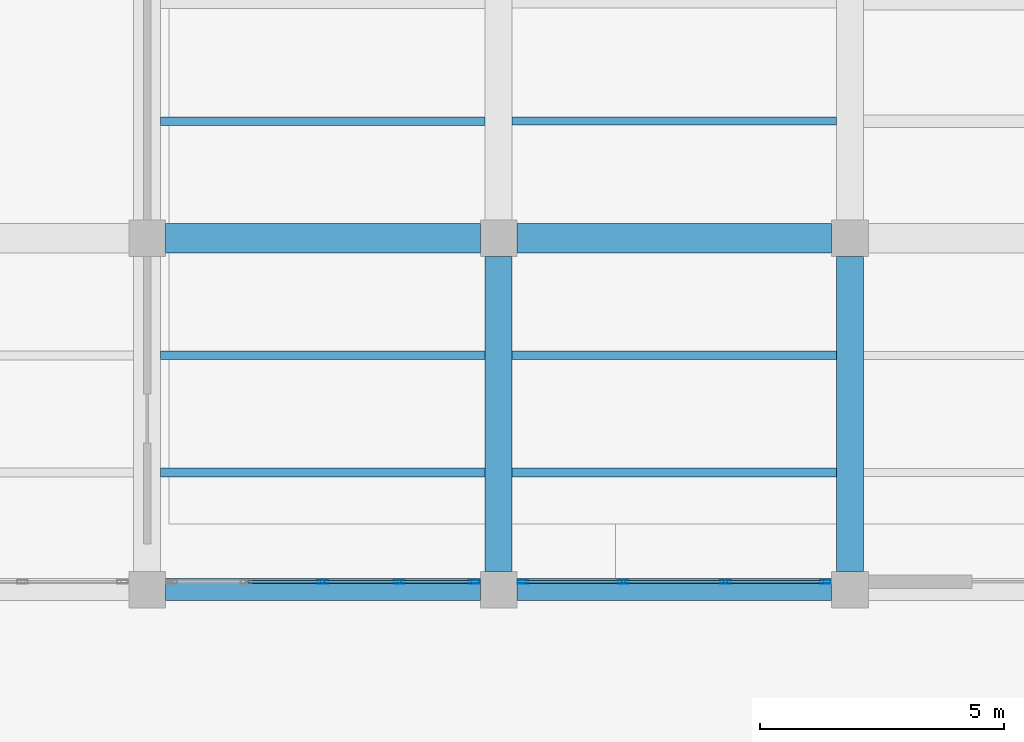
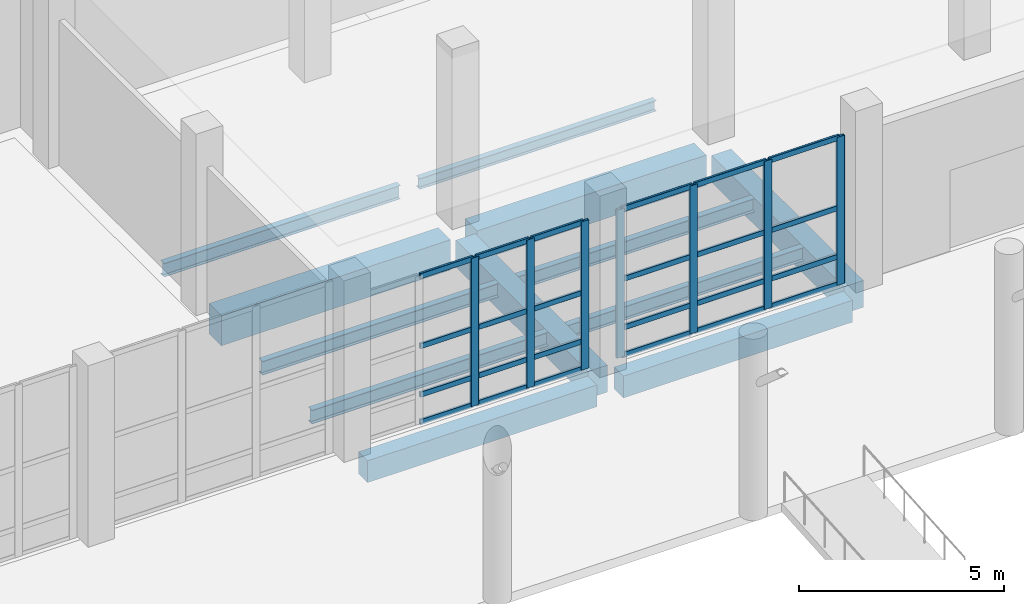
# One storey, part 27 of 137: 31 members, 12 beams, 2 elements without a shape of their own.
"""IFC4 building model written with IfcOpenShell, lengths in metres."""

from ifc_helpers import new_model, si_unit, direction, frame, origin, origin_2d, place, context, subcontext, project, spatial, rectangle, hollow_rectangle, i_section, extrude, material, material_profile, profile_set, type_object, element, aggregate, save


model = new_model("IFC4")

# Units and contexts
model_context = context("Model", 3, precision=1e-05, world=origin(), true_north=direction((0.0, 1.0)))
body_context = subcontext(model_context, "Body", "Model", "MODEL_VIEW")
ifc_project = project(units=[si_unit("LENGTHUNIT", "METRE"), si_unit("AREAUNIT", "SQUARE_METRE"), si_unit("VOLUMEUNIT", "CUBIC_METRE"), si_unit("PLANEANGLEUNIT", "RADIAN"), si_unit("MASSUNIT", "GRAM", prefix="KILO")], contexts=[model_context])

# Site, building, storey
site_placement = place(None, origin())
site = spatial("IfcSite", under=ifc_project, at=site_placement, CompositionType="ELEMENT")
building_placement = place(site_placement, origin())
building = spatial("IfcBuilding", under=site, at=building_placement, Name="Kalmorath City Hall", CompositionType="ELEMENT")
storey_placement = place(building_placement, origin())
storey = spatial("IfcBuildingStorey", under=building, at=storey_placement, Name="L00", CompositionType="ELEMENT", Elevation=0.0)

# Beams
ifc_material_1 = material(Name="Concrete C40/50", Category="concrete")
ifc_material_profile_1 = material_profile(ifc_material_1, rectangle(XDim=0.550048828125, YDim=0.800048828125, at=origin_2d()), Name="RC-BM-550X800")
ifc_profile_set_1 = profile_set([ifc_material_profile_1], Name="Concrete C40/50")
beam_type_1 = type_object("IfcBeamType", Name="Concrete floor girder 550x800", PredefinedType="BEAM", material=ifc_profile_set_1)
for number, where, z_axis, x_axis, name in (
    (1, (86.39990234375, 21.97509765625, -0.7041015625), (0.0, 1.0, 0.0), (-1.0, 0.0, 0.0), "L00 girder CB2 Y13/4-5"),
    (2, (93.60009765625, 21.97509765625, -0.7041015625), (0.0, 1.0, 0.0), (-1.0, 0.0, 0.0), "L00 girder CB2 Y14/4-5"),
):
    element("IfcBeam", number, at=place(storey_placement, frame(where, z_axis=z_axis, x_axis=x_axis)), inside=storey, type_object=beam_type_1, Name=name, PredefinedType="BEAM", context=body_context, shape_type="SweptSolid", body=[
        extrude(rectangle(XDim=0.550048828125, YDim=0.800048828125, at=origin_2d()), origin(), (0.0, 0.0, 1.0), 6.449951171875),
    ])
ifc_material_2 = material(Name="Concrete C40/50", Category="concrete")
ifc_material_profile_2 = material_profile(ifc_material_2, rectangle(XDim=0.60009765625, YDim=0.89990234375, at=origin_2d()), Name="RC-BM-600X900")
ifc_profile_set_2 = profile_set([ifc_material_profile_2], Name="Concrete C40/50")
beam_type_2 = type_object("IfcBeamType", Name="Concrete floor girder 600x900", PredefinedType="BEAM", material=ifc_profile_set_2)
beam_1_placement = place(storey_placement, frame((79.574951171875, 28.800048828125, -0.75390625), z_axis=(1.0, 0.0, 0.0), x_axis=(0.0, 1.0, 0.0)))
element("IfcBeam", 3, at=beam_1_placement, inside=storey, type_object=beam_type_2, Name="L00 girder CB1 X12-13/5", PredefinedType="BEAM", context=body_context, shape_type="SweptSolid", body=[
    extrude(rectangle(XDim=0.60009765625, YDim=0.89990234375, at=origin_2d()), origin(), (0.0, 0.0, 1.0), 6.449951171875),
])
beam_2_placement = place(storey_placement, frame((86.77490234375, 28.800048828125, -0.75390625), z_axis=(1.0, 0.0, 0.0), x_axis=(0.0, 1.0, 0.0)))
element("IfcBeam", 4, at=beam_2_placement, inside=storey, type_object=beam_type_2, Name="L00 girder CB1 X13-14/5", PredefinedType="BEAM", context=body_context, shape_type="SweptSolid", body=[
    extrude(rectangle(XDim=0.60009765625, YDim=0.89990234375, at=origin_2d()), origin(), (0.0, 0.0, 1.0), 6.4501953125),
])
ifc_material_3 = material(Name="Concrete C40/50", Category="concrete")
ifc_material_profile_3 = material_profile(ifc_material_3, rectangle(XDim=0.449951171875, YDim=0.64990234375, at=origin_2d()), Name="RC-BM-450X650")
ifc_profile_set_3 = profile_set([ifc_material_profile_3], Name="Concrete C40/50")
beam_type_3 = type_object("IfcBeamType", Name="Concrete spandrel beam 450x650", PredefinedType="SPANDREL", material=ifc_profile_set_3)
beam_3_placement = place(storey_placement, frame((79.574951171875, 21.60009765625, -0.62890625), z_axis=(1.0, 0.0, 0.0), x_axis=(0.0, 1.0, 0.0)))
element("IfcBeam", 5, at=beam_3_placement, inside=storey, type_object=beam_type_3, Name="L00 girder CB5 X12-13/4", PredefinedType="SPANDREL", context=body_context, shape_type="SweptSolid", body=[
    extrude(rectangle(XDim=0.449951171875, YDim=0.64990234375, at=origin_2d()), origin(), (0.0, 0.0, 1.0), 6.449951171875),
])
beam_4_placement = place(storey_placement, frame((86.77490234375, 21.60009765625, -0.62890625), z_axis=(1.0, 0.0, 0.0), x_axis=(0.0, 1.0, 0.0)))
element("IfcBeam", 6, at=beam_4_placement, inside=storey, type_object=beam_type_3, Name="L00 girder CB5 X13-14/4", PredefinedType="SPANDREL", context=body_context, shape_type="SweptSolid", body=[
    extrude(rectangle(XDim=0.449951171875, YDim=0.64990234375, at=origin_2d()), origin(), (0.0, 0.0, 1.0), 6.4501953125),
])

# Curtain wall, members
ifc_material_4 = material(Name="Anodised aluminium and laminated glass", Category="aluminium")
curtain_wall_type_1 = type_object("IfcCurtainWallType", Name="Unitised hurricane curtain wall 6270x4411 M1800", PredefinedType="NOTDEFINED", material=ifc_material_4)
curtain_wall_1_placement = place(storey_placement, origin())
curtain_wall_1 = element("IfcCurtainWall", 7, at=curtain_wall_1_placement, inside=storey, type_object=curtain_wall_type_1, Name="L00 curtain wall CW-63X44M18 #20", PredefinedType="NOTDEFINED")
ifc_material_5 = material(Name="Anodised aluminium framing", Category="aluminium")
ifc_material_profile_4 = material_profile(ifc_material_5, hollow_rectangle(XDim=0.074951171875, YDim=0.219970703125, WallThickness=0.00390625, InnerFilletRadius=0.00390625, OuterFilletRadius=0.008056640625, at=origin_2d()), Name="ALU-MUL-220X75X4")
ifc_profile_set_4 = profile_set([ifc_material_profile_4], Name="Anodised aluminium framing")
member_type_1 = type_object("IfcMemberType", Name="Curtain-wall primary mullion 220x75", PredefinedType="MULLION", material=ifc_profile_set_4)
member_1_placement = place(storey_placement, frame((93.097412109375, 21.760009765625, 0.0), z_axis=(0.0, 0.0, 1.0), x_axis=(0.0, -1.0, 0.0)))
member_1 = element("IfcMember", 8, at=member_1_placement, type_object=member_type_1, Name="CW-63X44M18 mullion 1", PredefinedType="MULLION", context=body_context, shape_type="SweptSolid", body=[
    extrude(hollow_rectangle(XDim=0.074951171875, YDim=0.219970703125, WallThickness=0.00390625, InnerFilletRadius=0.00390625, OuterFilletRadius=0.008056640625, at=origin_2d()), origin(), (0.0, 0.0, 1.0), 4.410888671875),
])
member_2_placement = place(storey_placement, frame((91.044921875, 21.760009765625, 0.0), z_axis=(0.0, 0.0, 1.0), x_axis=(0.0, -1.0, 0.0)))
member_2 = element("IfcMember", 9, at=member_2_placement, type_object=member_type_1, Name="CW-63X44M18 mullion 2", PredefinedType="MULLION", context=body_context, shape_type="SweptSolid", body=[
    extrude(hollow_rectangle(XDim=0.074951171875, YDim=0.219970703125, WallThickness=0.00390625, InnerFilletRadius=0.00390625, OuterFilletRadius=0.008056640625, at=origin_2d()), origin(), (0.0, 0.0, 1.0), 4.410888671875),
])
member_3_placement = place(storey_placement, frame((88.955078125, 21.760009765625, 0.0), z_axis=(0.0, 0.0, 1.0), x_axis=(0.0, -1.0, 0.0)))
member_3 = element("IfcMember", 10, at=member_3_placement, type_object=member_type_1, Name="CW-63X44M18 mullion 3", PredefinedType="MULLION", context=body_context, shape_type="SweptSolid", body=[
    extrude(hollow_rectangle(XDim=0.074951171875, YDim=0.219970703125, WallThickness=0.00390625, InnerFilletRadius=0.00390625, OuterFilletRadius=0.008056640625, at=origin_2d()), origin(), (0.0, 0.0, 1.0), 4.410888671875),
])
member_4_placement = place(storey_placement, frame((86.902587890625, 21.760009765625, 0.0), z_axis=(0.0, 0.0, 1.0), x_axis=(0.0, -1.0, 0.0)))
member_4 = element("IfcMember", 11, at=member_4_placement, type_object=member_type_1, Name="CW-63X44M18 mullion 4", PredefinedType="MULLION", context=body_context, shape_type="SweptSolid", body=[
    extrude(hollow_rectangle(XDim=0.074951171875, YDim=0.219970703125, WallThickness=0.00390625, InnerFilletRadius=0.00390625, OuterFilletRadius=0.008056640625, at=origin_2d()), origin(), (0.0, 0.0, 1.0), 4.410888671875),
])

ifc_material_6 = material(Name="Anodised aluminium and laminated glass", Category="aluminium")
curtain_wall_type_2 = type_object("IfcCurtainWallType", Name="Unitised hurricane curtain wall 6270x4411 M1500", PredefinedType="NOTDEFINED", material=ifc_material_6)
curtain_wall_2_placement = place(storey_placement, origin())
curtain_wall_2 = element("IfcCurtainWall", 12, at=curtain_wall_2_placement, inside=storey, type_object=curtain_wall_type_2, Name="L00 curtain wall CW-63X44M15 #21", PredefinedType="NOTDEFINED")
member_5_placement = place(storey_placement, frame((85.8974609375, 21.760009765625, 0.0), z_axis=(0.0, 0.0, 1.0), x_axis=(0.0, -1.0, 0.0)))
member_5 = element("IfcMember", 13, at=member_5_placement, type_object=member_type_1, Name="CW-63X44M15 mullion 1", PredefinedType="MULLION", context=body_context, shape_type="SweptSolid", body=[
    extrude(hollow_rectangle(XDim=0.074951171875, YDim=0.219970703125, WallThickness=0.00390625, InnerFilletRadius=0.00390625, OuterFilletRadius=0.008056640625, at=origin_2d()), origin(), (0.0, 0.0, 1.0), 4.410888671875),
])
member_6_placement = place(storey_placement, frame((84.367431640625, 21.760009765625, 0.0), z_axis=(0.0, 0.0, 1.0), x_axis=(0.0, -1.0, 0.0)))
member_6 = element("IfcMember", 14, at=member_6_placement, type_object=member_type_1, Name="CW-63X44M15 mullion 2", PredefinedType="MULLION", context=body_context, shape_type="SweptSolid", body=[
    extrude(hollow_rectangle(XDim=0.074951171875, YDim=0.219970703125, WallThickness=0.00390625, InnerFilletRadius=0.00390625, OuterFilletRadius=0.008056640625, at=origin_2d()), origin(), (0.0, 0.0, 1.0), 4.410888671875),
])
member_7_placement = place(storey_placement, frame((82.800048828125, 21.760009765625, 0.0), z_axis=(0.0, 0.0, 1.0), x_axis=(0.0, -1.0, 0.0)))
member_7 = element("IfcMember", 15, at=member_7_placement, type_object=member_type_1, Name="CW-63X44M15 mullion 3", PredefinedType="MULLION", context=body_context, shape_type="SweptSolid", body=[
    extrude(hollow_rectangle(XDim=0.074951171875, YDim=0.219970703125, WallThickness=0.00390625, InnerFilletRadius=0.00390625, OuterFilletRadius=0.008056640625, at=origin_2d()), origin(), (0.0, 0.0, 1.0), 4.410888671875),
])

# Member
ifc_material_7 = material(Name="Anodised aluminium framing", Category="aluminium")
ifc_material_profile_5 = material_profile(ifc_material_7, hollow_rectangle(XDim=0.06494140625, YDim=0.159912109375, WallThickness=0.00390625, InnerFilletRadius=0.00390625, OuterFilletRadius=0.008056640625, at=origin_2d()), Name="ALU-TRN-160X65X4")
ifc_profile_set_5 = profile_set([ifc_material_profile_5], Name="Anodised aluminium framing")
member_type_2 = type_object("IfcMemberType", Name="Curtain-wall primary transom 160x65", PredefinedType="USERDEFINED", material=ifc_profile_set_5)
member_8_placement = place(storey_placement, frame((93.06005859375, 21.760009765625, 0.032470703125), z_axis=(-1.0, 0.0, 0.0), x_axis=(0.0, -1.0, 0.0)))
member_8 = element("IfcMember", 16, at=member_8_placement, type_object=member_type_2, Name="CW-63X44M18 transom 1.1", ObjectType="TRANSOM", PredefinedType="USERDEFINED", context=body_context, shape_type="SweptSolid", body=[
    extrude(hollow_rectangle(XDim=0.06494140625, YDim=0.159912109375, WallThickness=0.00390625, InnerFilletRadius=0.00390625, OuterFilletRadius=0.008056640625, at=origin_2d()), origin(), (0.0, 0.0, 1.0), 1.9775390625),
])

member_9_placement = place(storey_placement, frame((93.06005859375, 21.760009765625, 0.85009765625), z_axis=(-1.0, 0.0, 0.0), x_axis=(0.0, -1.0, 0.0)))
member_9 = element("IfcMember", 17, at=member_9_placement, type_object=member_type_2, Name="CW-63X44M18 transom 1.2", ObjectType="TRANSOM", PredefinedType="USERDEFINED", context=body_context, shape_type="SweptSolid", body=[
    extrude(hollow_rectangle(XDim=0.06494140625, YDim=0.159912109375, WallThickness=0.00390625, InnerFilletRadius=0.00390625, OuterFilletRadius=0.008056640625, at=origin_2d()), origin(), (0.0, 0.0, 1.0), 1.9775390625),
])

member_10_placement = place(storey_placement, frame((93.06005859375, 21.760009765625, 2.2939453125), z_axis=(-1.0, 0.0, 0.0), x_axis=(0.0, -1.0, 0.0)))
member_10 = element("IfcMember", 18, at=member_10_placement, type_object=member_type_2, Name="CW-63X44M18 transom 1.3", ObjectType="TRANSOM", PredefinedType="USERDEFINED", context=body_context, shape_type="SweptSolid", body=[
    extrude(hollow_rectangle(XDim=0.06494140625, YDim=0.159912109375, WallThickness=0.00390625, InnerFilletRadius=0.00390625, OuterFilletRadius=0.008056640625, at=origin_2d()), origin(), (0.0, 0.0, 1.0), 1.9775390625),
])

member_11_placement = place(storey_placement, frame((93.06005859375, 21.760009765625, 4.37841796875), z_axis=(-1.0, 0.0, 0.0), x_axis=(0.0, -1.0, 0.0)))
member_11 = element("IfcMember", 19, at=member_11_placement, type_object=member_type_2, Name="CW-63X44M18 transom 1.4", ObjectType="TRANSOM", PredefinedType="USERDEFINED", context=body_context, shape_type="SweptSolid", body=[
    extrude(hollow_rectangle(XDim=0.06494140625, YDim=0.159912109375, WallThickness=0.00390625, InnerFilletRadius=0.00390625, OuterFilletRadius=0.008056640625, at=origin_2d()), origin(), (0.0, 0.0, 1.0), 1.9775390625),
])

member_12_placement = place(storey_placement, frame((91.007568359375, 21.760009765625, 0.032470703125), z_axis=(-1.0, 0.0, 0.0), x_axis=(0.0, -1.0, 0.0)))
member_12 = element("IfcMember", 20, at=member_12_placement, type_object=member_type_2, Name="CW-63X44M18 transom 2.1", ObjectType="TRANSOM", PredefinedType="USERDEFINED", context=body_context, shape_type="SweptSolid", body=[
    extrude(hollow_rectangle(XDim=0.06494140625, YDim=0.159912109375, WallThickness=0.00390625, InnerFilletRadius=0.00390625, OuterFilletRadius=0.008056640625, at=origin_2d()), origin(), (0.0, 0.0, 1.0), 2.01513671875),
])

member_13_placement = place(storey_placement, frame((91.007568359375, 21.760009765625, 0.85009765625), z_axis=(-1.0, 0.0, 0.0), x_axis=(0.0, -1.0, 0.0)))
member_13 = element("IfcMember", 21, at=member_13_placement, type_object=member_type_2, Name="CW-63X44M18 transom 2.2", ObjectType="TRANSOM", PredefinedType="USERDEFINED", context=body_context, shape_type="SweptSolid", body=[
    extrude(hollow_rectangle(XDim=0.06494140625, YDim=0.159912109375, WallThickness=0.00390625, InnerFilletRadius=0.00390625, OuterFilletRadius=0.008056640625, at=origin_2d()), origin(), (0.0, 0.0, 1.0), 2.01513671875),
])

member_14_placement = place(storey_placement, frame((91.007568359375, 21.760009765625, 2.2939453125), z_axis=(-1.0, 0.0, 0.0), x_axis=(0.0, -1.0, 0.0)))
member_14 = element("IfcMember", 22, at=member_14_placement, type_object=member_type_2, Name="CW-63X44M18 transom 2.3", ObjectType="TRANSOM", PredefinedType="USERDEFINED", context=body_context, shape_type="SweptSolid", body=[
    extrude(hollow_rectangle(XDim=0.06494140625, YDim=0.159912109375, WallThickness=0.00390625, InnerFilletRadius=0.00390625, OuterFilletRadius=0.008056640625, at=origin_2d()), origin(), (0.0, 0.0, 1.0), 2.01513671875),
])

member_15_placement = place(storey_placement, frame((91.007568359375, 21.760009765625, 4.37841796875), z_axis=(-1.0, 0.0, 0.0), x_axis=(0.0, -1.0, 0.0)))
member_15 = element("IfcMember", 23, at=member_15_placement, type_object=member_type_2, Name="CW-63X44M18 transom 2.4", ObjectType="TRANSOM", PredefinedType="USERDEFINED", context=body_context, shape_type="SweptSolid", body=[
    extrude(hollow_rectangle(XDim=0.06494140625, YDim=0.159912109375, WallThickness=0.00390625, InnerFilletRadius=0.00390625, OuterFilletRadius=0.008056640625, at=origin_2d()), origin(), (0.0, 0.0, 1.0), 2.01513671875),
])

member_16_placement = place(storey_placement, frame((88.91748046875, 21.760009765625, 0.032470703125), z_axis=(-1.0, 0.0, 0.0), x_axis=(0.0, -1.0, 0.0)))
member_16 = element("IfcMember", 24, at=member_16_placement, type_object=member_type_2, Name="CW-63X44M18 transom 3.1", ObjectType="TRANSOM", PredefinedType="USERDEFINED", context=body_context, shape_type="SweptSolid", body=[
    extrude(hollow_rectangle(XDim=0.06494140625, YDim=0.159912109375, WallThickness=0.00390625, InnerFilletRadius=0.00390625, OuterFilletRadius=0.008056640625, at=origin_2d()), origin(), (0.0, 0.0, 1.0), 1.9775390625),
])

member_17_placement = place(storey_placement, frame((88.91748046875, 21.760009765625, 0.85009765625), z_axis=(-1.0, 0.0, 0.0), x_axis=(0.0, -1.0, 0.0)))
member_17 = element("IfcMember", 25, at=member_17_placement, type_object=member_type_2, Name="CW-63X44M18 transom 3.2", ObjectType="TRANSOM", PredefinedType="USERDEFINED", context=body_context, shape_type="SweptSolid", body=[
    extrude(hollow_rectangle(XDim=0.06494140625, YDim=0.159912109375, WallThickness=0.00390625, InnerFilletRadius=0.00390625, OuterFilletRadius=0.008056640625, at=origin_2d()), origin(), (0.0, 0.0, 1.0), 1.9775390625),
])

member_18_placement = place(storey_placement, frame((88.91748046875, 21.760009765625, 2.2939453125), z_axis=(-1.0, 0.0, 0.0), x_axis=(0.0, -1.0, 0.0)))
member_18 = element("IfcMember", 26, at=member_18_placement, type_object=member_type_2, Name="CW-63X44M18 transom 3.3", ObjectType="TRANSOM", PredefinedType="USERDEFINED", context=body_context, shape_type="SweptSolid", body=[
    extrude(hollow_rectangle(XDim=0.06494140625, YDim=0.159912109375, WallThickness=0.00390625, InnerFilletRadius=0.00390625, OuterFilletRadius=0.008056640625, at=origin_2d()), origin(), (0.0, 0.0, 1.0), 1.9775390625),
])

member_19_placement = place(storey_placement, frame((88.91748046875, 21.760009765625, 4.37841796875), z_axis=(-1.0, 0.0, 0.0), x_axis=(0.0, -1.0, 0.0)))
member_19 = element("IfcMember", 27, at=member_19_placement, type_object=member_type_2, Name="CW-63X44M18 transom 3.4", ObjectType="TRANSOM", PredefinedType="USERDEFINED", context=body_context, shape_type="SweptSolid", body=[
    extrude(hollow_rectangle(XDim=0.06494140625, YDim=0.159912109375, WallThickness=0.00390625, InnerFilletRadius=0.00390625, OuterFilletRadius=0.008056640625, at=origin_2d()), origin(), (0.0, 0.0, 1.0), 1.9775390625),
])

aggregate(curtain_wall_1, [member_1, member_2, member_3, member_4, member_8, member_9, member_10, member_11, member_12, member_13, member_14, member_15, member_16, member_17, member_18, member_19])

member_20_placement = place(storey_placement, frame((85.860107421875, 21.760009765625, 0.032470703125), z_axis=(-1.0, 0.0, 0.0), x_axis=(0.0, -1.0, 0.0)))
member_20 = element("IfcMember", 28, at=member_20_placement, type_object=member_type_2, Name="CW-63X44M15 transom 1.1", ObjectType="TRANSOM", PredefinedType="USERDEFINED", context=body_context, shape_type="SweptSolid", body=[
    extrude(hollow_rectangle(XDim=0.06494140625, YDim=0.159912109375, WallThickness=0.00390625, InnerFilletRadius=0.00390625, OuterFilletRadius=0.008056640625, at=origin_2d()), origin(), (0.0, 0.0, 1.0), 1.455078125),
])

member_21_placement = place(storey_placement, frame((85.860107421875, 21.760009765625, 0.85009765625), z_axis=(-1.0, 0.0, 0.0), x_axis=(0.0, -1.0, 0.0)))
member_21 = element("IfcMember", 29, at=member_21_placement, type_object=member_type_2, Name="CW-63X44M15 transom 1.2", ObjectType="TRANSOM", PredefinedType="USERDEFINED", context=body_context, shape_type="SweptSolid", body=[
    extrude(hollow_rectangle(XDim=0.06494140625, YDim=0.159912109375, WallThickness=0.00390625, InnerFilletRadius=0.00390625, OuterFilletRadius=0.008056640625, at=origin_2d()), origin(), (0.0, 0.0, 1.0), 1.455078125),
])

member_22_placement = place(storey_placement, frame((85.860107421875, 21.760009765625, 2.2939453125), z_axis=(-1.0, 0.0, 0.0), x_axis=(0.0, -1.0, 0.0)))
member_22 = element("IfcMember", 30, at=member_22_placement, type_object=member_type_2, Name="CW-63X44M15 transom 1.3", ObjectType="TRANSOM", PredefinedType="USERDEFINED", context=body_context, shape_type="SweptSolid", body=[
    extrude(hollow_rectangle(XDim=0.06494140625, YDim=0.159912109375, WallThickness=0.00390625, InnerFilletRadius=0.00390625, OuterFilletRadius=0.008056640625, at=origin_2d()), origin(), (0.0, 0.0, 1.0), 1.455078125),
])

member_23_placement = place(storey_placement, frame((85.860107421875, 21.760009765625, 4.37841796875), z_axis=(-1.0, 0.0, 0.0), x_axis=(0.0, -1.0, 0.0)))
member_23 = element("IfcMember", 31, at=member_23_placement, type_object=member_type_2, Name="CW-63X44M15 transom 1.4", ObjectType="TRANSOM", PredefinedType="USERDEFINED", context=body_context, shape_type="SweptSolid", body=[
    extrude(hollow_rectangle(XDim=0.06494140625, YDim=0.159912109375, WallThickness=0.00390625, InnerFilletRadius=0.00390625, OuterFilletRadius=0.008056640625, at=origin_2d()), origin(), (0.0, 0.0, 1.0), 1.455078125),
])

member_24_placement = place(storey_placement, frame((84.330078125, 21.760009765625, 0.032470703125), z_axis=(-1.0, 0.0, 0.0), x_axis=(0.0, -1.0, 0.0)))
member_24 = element("IfcMember", 32, at=member_24_placement, type_object=member_type_2, Name="CW-63X44M15 transom 2.1", ObjectType="TRANSOM", PredefinedType="USERDEFINED", context=body_context, shape_type="SweptSolid", body=[
    extrude(hollow_rectangle(XDim=0.06494140625, YDim=0.159912109375, WallThickness=0.00390625, InnerFilletRadius=0.00390625, OuterFilletRadius=0.008056640625, at=origin_2d()), origin(), (0.0, 0.0, 1.0), 1.49267578125),
])

member_25_placement = place(storey_placement, frame((84.330078125, 21.760009765625, 0.85009765625), z_axis=(-1.0, 0.0, 0.0), x_axis=(0.0, -1.0, 0.0)))
member_25 = element("IfcMember", 33, at=member_25_placement, type_object=member_type_2, Name="CW-63X44M15 transom 2.2", ObjectType="TRANSOM", PredefinedType="USERDEFINED", context=body_context, shape_type="SweptSolid", body=[
    extrude(hollow_rectangle(XDim=0.06494140625, YDim=0.159912109375, WallThickness=0.00390625, InnerFilletRadius=0.00390625, OuterFilletRadius=0.008056640625, at=origin_2d()), origin(), (0.0, 0.0, 1.0), 1.49267578125),
])

member_26_placement = place(storey_placement, frame((84.330078125, 21.760009765625, 2.2939453125), z_axis=(-1.0, 0.0, 0.0), x_axis=(0.0, -1.0, 0.0)))
member_26 = element("IfcMember", 34, at=member_26_placement, type_object=member_type_2, Name="CW-63X44M15 transom 2.3", ObjectType="TRANSOM", PredefinedType="USERDEFINED", context=body_context, shape_type="SweptSolid", body=[
    extrude(hollow_rectangle(XDim=0.06494140625, YDim=0.159912109375, WallThickness=0.00390625, InnerFilletRadius=0.00390625, OuterFilletRadius=0.008056640625, at=origin_2d()), origin(), (0.0, 0.0, 1.0), 1.49267578125),
])

member_27_placement = place(storey_placement, frame((84.330078125, 21.760009765625, 4.37841796875), z_axis=(-1.0, 0.0, 0.0), x_axis=(0.0, -1.0, 0.0)))
member_27 = element("IfcMember", 35, at=member_27_placement, type_object=member_type_2, Name="CW-63X44M15 transom 2.4", ObjectType="TRANSOM", PredefinedType="USERDEFINED", context=body_context, shape_type="SweptSolid", body=[
    extrude(hollow_rectangle(XDim=0.06494140625, YDim=0.159912109375, WallThickness=0.00390625, InnerFilletRadius=0.00390625, OuterFilletRadius=0.008056640625, at=origin_2d()), origin(), (0.0, 0.0, 1.0), 1.49267578125),
])

member_28_placement = place(storey_placement, frame((82.762451171875, 21.760009765625, 0.032470703125), z_axis=(-1.0, 0.0, 0.0), x_axis=(0.0, -1.0, 0.0)))
member_28 = element("IfcMember", 36, at=member_28_placement, type_object=member_type_2, Name="CW-63X44M15 transom 3.1", ObjectType="TRANSOM", PredefinedType="USERDEFINED", context=body_context, shape_type="SweptSolid", body=[
    extrude(hollow_rectangle(XDim=0.06494140625, YDim=0.159912109375, WallThickness=0.00390625, InnerFilletRadius=0.00390625, OuterFilletRadius=0.008056640625, at=origin_2d()), origin(), (0.0, 0.0, 1.0), 1.492431640625),
])

member_29_placement = place(storey_placement, frame((82.762451171875, 21.760009765625, 0.85009765625), z_axis=(-1.0, 0.0, 0.0), x_axis=(0.0, -1.0, 0.0)))
member_29 = element("IfcMember", 37, at=member_29_placement, type_object=member_type_2, Name="CW-63X44M15 transom 3.2", ObjectType="TRANSOM", PredefinedType="USERDEFINED", context=body_context, shape_type="SweptSolid", body=[
    extrude(hollow_rectangle(XDim=0.06494140625, YDim=0.159912109375, WallThickness=0.00390625, InnerFilletRadius=0.00390625, OuterFilletRadius=0.008056640625, at=origin_2d()), origin(), (0.0, 0.0, 1.0), 1.492431640625),
])

member_30_placement = place(storey_placement, frame((82.762451171875, 21.760009765625, 2.2939453125), z_axis=(-1.0, 0.0, 0.0), x_axis=(0.0, -1.0, 0.0)))
member_30 = element("IfcMember", 38, at=member_30_placement, type_object=member_type_2, Name="CW-63X44M15 transom 3.3", ObjectType="TRANSOM", PredefinedType="USERDEFINED", context=body_context, shape_type="SweptSolid", body=[
    extrude(hollow_rectangle(XDim=0.06494140625, YDim=0.159912109375, WallThickness=0.00390625, InnerFilletRadius=0.00390625, OuterFilletRadius=0.008056640625, at=origin_2d()), origin(), (0.0, 0.0, 1.0), 1.492431640625),
])

member_31_placement = place(storey_placement, frame((82.762451171875, 21.760009765625, 4.37841796875), z_axis=(-1.0, 0.0, 0.0), x_axis=(0.0, -1.0, 0.0)))
member_31 = element("IfcMember", 39, at=member_31_placement, type_object=member_type_2, Name="CW-63X44M15 transom 3.4", ObjectType="TRANSOM", PredefinedType="USERDEFINED", context=body_context, shape_type="SweptSolid", body=[
    extrude(hollow_rectangle(XDim=0.06494140625, YDim=0.159912109375, WallThickness=0.00390625, InnerFilletRadius=0.00390625, OuterFilletRadius=0.008056640625, at=origin_2d()), origin(), (0.0, 0.0, 1.0), 1.492431640625),
])

aggregate(curtain_wall_2, [member_5, member_6, member_7, member_20, member_21, member_22, member_23, member_24, member_25, member_26, member_27, member_28, member_29, member_30, member_31])

# Beams
ifc_material_8 = material(Name="Steel ASTM A992 Grade 50", Category="steel")
ifc_material_profile_6 = material_profile(ifc_material_8, i_section(OverallWidth=0.177001953125, OverallDepth=0.403076171875, WebThickness=0.007568359375, FlangeThickness=0.010986328125, FilletRadius=0.012939453125, at=origin_2d()), Name="W16X36")
ifc_profile_set_6 = profile_set([ifc_material_profile_6], Name="Steel ASTM A992 Grade 50")
beam_type_4 = type_object("IfcBeamType", Name="Steel composite joist W16X36", PredefinedType="JOIST", material=ifc_profile_set_6)
for number, where, z_axis, x_axis, name in (
    (40, (79.47509765625, 31.199951171875, -0.505615234375), (1.0, 0.0, 0.0), (0.0, 1.0, 0.0), "L00 joist SJ7 12.5.1"),
    (41, (86.675048828125, 24.0, -0.505615234375), (1.0, 0.0, 0.0), (0.0, 1.0, 0.0), "L00 joist SJ7 13.4.1"),
    (42, (86.675048828125, 26.39990234375, -0.505615234375), (1.0, 0.0, 0.0), (0.0, 1.0, 0.0), "L00 joist SJ7 13.4.2"),
):
    element("IfcBeam", number, at=place(storey_placement, frame(where, z_axis=z_axis, x_axis=x_axis)), inside=storey, type_object=beam_type_4, Name=name, PredefinedType="JOIST", context=body_context, shape_type="SweptSolid", body=[
        extrude(i_section(OverallWidth=0.177001953125, OverallDepth=0.403076171875, WebThickness=0.007568359375, FlangeThickness=0.010986328125, FilletRadius=0.012939453125, at=origin_2d()), origin(), (0.0, 0.0, 1.0), 6.64990234375),
    ])
ifc_material_9 = material(Name="Steel ASTM A992 Grade 50", Category="steel")
ifc_material_profile_7 = material_profile(ifc_material_9, i_section(OverallWidth=0.178955078125, OverallDepth=0.409912109375, WebThickness=0.0087890625, FlangeThickness=0.014404296875, FilletRadius=0.012939453125, at=origin_2d()), Name="W16X45")
ifc_profile_set_7 = profile_set([ifc_material_profile_7], Name="Steel ASTM A992 Grade 50")
beam_type_5 = type_object("IfcBeamType", Name="Steel composite joist W16X45", PredefinedType="JOIST", material=ifc_profile_set_7)
for number, where, z_axis, x_axis, name in (
    (43, (79.47509765625, 24.0, -0.509033203125), (1.0, 0.0, 0.0), (0.0, 1.0, 0.0), "L00 joist SJ6 12.4.1"),
    (44, (79.47509765625, 26.39990234375, -0.509033203125), (1.0, 0.0, 0.0), (0.0, 1.0, 0.0), "L00 joist SJ6 12.4.2"),
):
    element("IfcBeam", number, at=place(storey_placement, frame(where, z_axis=z_axis, x_axis=x_axis)), inside=storey, type_object=beam_type_5, Name=name, PredefinedType="JOIST", context=body_context, shape_type="SweptSolid", body=[
        extrude(i_section(OverallWidth=0.178955078125, OverallDepth=0.409912109375, WebThickness=0.0087890625, FlangeThickness=0.014404296875, FilletRadius=0.012939453125, at=origin_2d()), origin(), (0.0, 0.0, 1.0), 6.64990234375),
    ])
ifc_material_10 = material(Name="Steel ASTM A992 Grade 50", Category="steel")
ifc_material_profile_8 = material_profile(ifc_material_10, i_section(OverallWidth=0.1669921875, OverallDepth=0.318115234375, WebThickness=0.007568359375, FlangeThickness=0.01318359375, FilletRadius=0.012939453125, at=origin_2d()), Name="W12X35")
ifc_profile_set_8 = profile_set([ifc_material_profile_8], Name="Steel ASTM A992 Grade 50")
beam_type_6 = type_object("IfcBeamType", Name="Steel header lintel W12X35", PredefinedType="LINTEL", material=ifc_profile_set_8)
beam_5_placement = place(storey_placement, frame((86.675048828125, 31.199951171875, -0.462890625), z_axis=(1.0, 0.0, 0.0), x_axis=(0.0, 1.0, 0.0)))
element("IfcBeam", 45, at=beam_5_placement, inside=storey, type_object=beam_type_6, Name="L00 joist SJ13 13.5.1", PredefinedType="LINTEL", context=body_context, shape_type="SweptSolid", body=[
    extrude(i_section(OverallWidth=0.1669921875, OverallDepth=0.318115234375, WebThickness=0.007568359375, FlangeThickness=0.01318359375, FilletRadius=0.012939453125, at=origin_2d()), origin(), (0.0, 0.0, 1.0), 6.64990234375),
])

save(model, "model.ifc")
